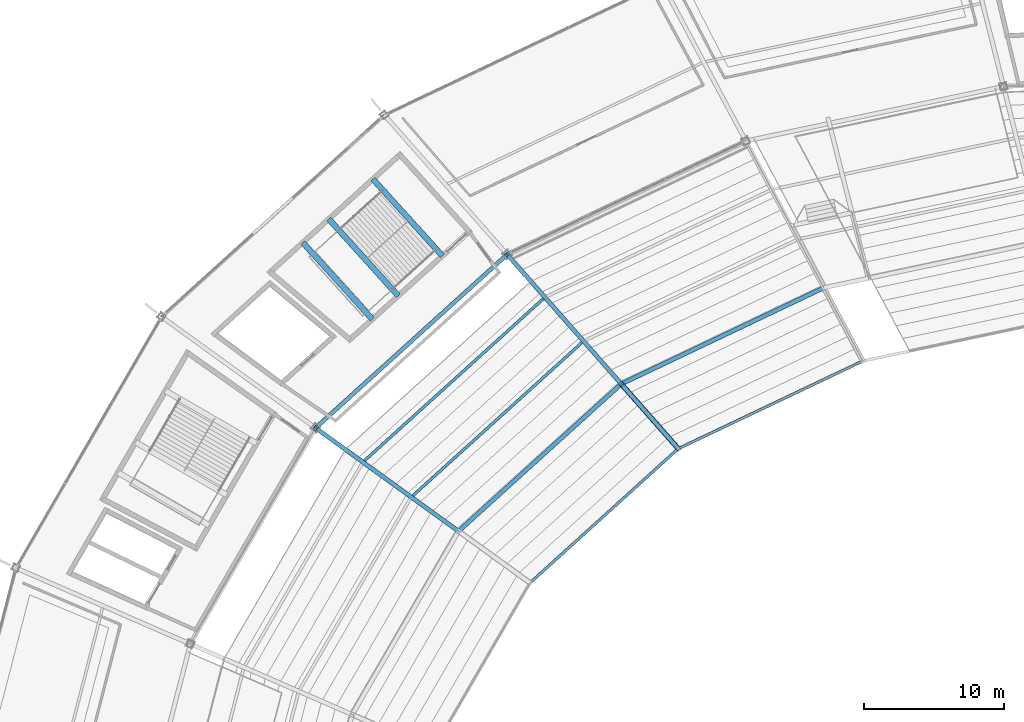
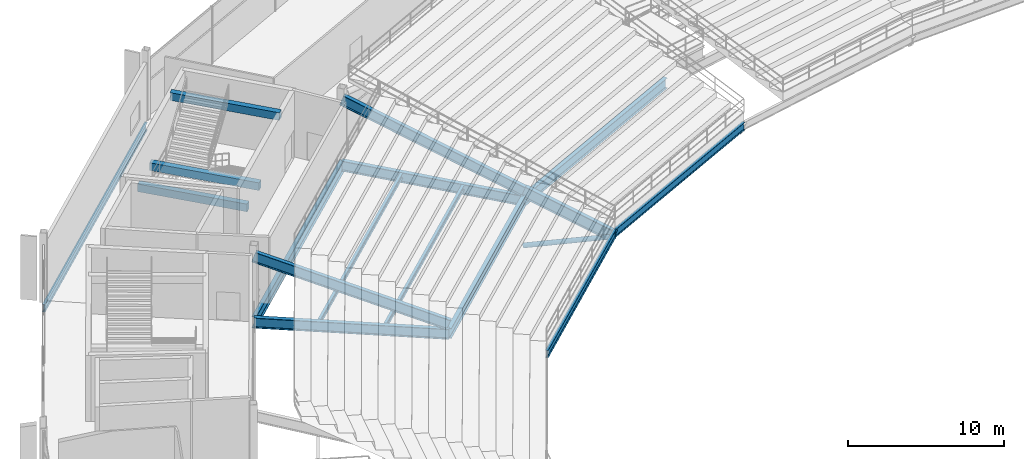
# One storey, part 86 of 186: 16 beams, 1 member.
"""IFC4 building model written with IfcOpenShell, lengths in metres."""

import ifcopenshell
import ifcopenshell.guid

model = None  # the IFC model being written
_history = None  # IfcOwnerHistory: only IFC2X3 demands one
_inside = {}  # id of a spatial element -> (the spatial element, [elements in it])
_under = {}  # id of a project, library or spatial element -> (it, [spatial elements below it])
_declared = {}  # id of a project -> (the project, [libraries it declares])
_typed = {}  # id of a type object -> (the type object, [elements of that type])
_made_of = {}  # id of a material, layer set ... -> (it, [elements and type objects made of it])


def new_model(schema):
    """Start an empty IFC model of exactly this schema.

    Asked for "IFC4X3", IfcOpenShell would pick the latest addendum, in which some entities
    have other attributes; the version numbers below select the first issue.
    IFC2X3 requires an IfcOwnerHistory on every rooted entity: one is made here for all.
    """
    global model, _history
    if schema == "IFC4X3":
        model = ifcopenshell.file(schema_version=(4, 3, 0, 0))
    else:
        model = ifcopenshell.file(schema=schema)
    _inside.clear()
    _under.clear()
    _declared.clear()
    _typed.clear()
    _made_of.clear()
    _history = None
    if model.schema == "IFC2X3":
        org = make("IfcOrganization", Name="unknown")
        user = make(
            "IfcPersonAndOrganization",
            ThePerson=make("IfcPerson", FamilyName="unknown"),
            TheOrganization=org,
        )
        app = make(
            "IfcApplication",
            ApplicationDeveloper=org,
            Version="unknown",
            ApplicationFullName="unknown",
            ApplicationIdentifier="unknown",
        )
        _history = make(
            "IfcOwnerHistory",
            OwningUser=user,
            OwningApplication=app,
            ChangeAction="ADDED",
            CreationDate=0,
        )
    return model


def make(cls, **values):
    """One entity of the class cls with the attributes given. An attribute that is None is left unset."""
    return model.create_entity(
        cls, **{name: value for name, value in values.items() if value is not None}
    )


def rooted(cls, **values):
    """An entity with a GlobalId (a new one), such as an element, a storey or a relation."""
    return make(cls, GlobalId=ifcopenshell.guid.new(), OwnerHistory=_history, **values)


def si_unit(unit_type, name, prefix=None):
    """IfcSIUnit, for example si_unit("LENGTHUNIT", "METRE", prefix="MILLI")."""
    return make("IfcSIUnit", UnitType=unit_type, Prefix=prefix, Name=name)


def assignment(units):
    """IfcUnitAssignment: the units of a project."""
    return None if units is None else make("IfcUnitAssignment", Units=units)


def point(xyz):
    """IfcCartesianPoint."""
    return None if xyz is None else make("IfcCartesianPoint", Coordinates=xyz)


def direction(xyz):
    """IfcDirection."""
    return None if xyz is None else make("IfcDirection", DirectionRatios=xyz)


def frame(location, z_axis=None, x_axis=None):
    """IfcAxis2Placement3D, a coordinate frame: its origin and axes. An axis left out is left unset."""
    return make(
        "IfcAxis2Placement3D",
        Location=point(location),
        Axis=direction(z_axis),
        RefDirection=direction(x_axis),
    )


def frame_2d(location, x_axis=None):
    """IfcAxis2Placement2D, a coordinate frame in the plane: its origin and x axis."""
    return make(
        "IfcAxis2Placement2D", Location=point(location), RefDirection=direction(x_axis)
    )


def origin():
    """The frame at (0, 0, 0) with its axes left unset."""
    return frame((0.0, 0.0, 0.0))


def origin_2d():
    """The frame at (0, 0) in the plane with its x axis left unset."""
    return frame_2d((0.0, 0.0))


def place(relative_to, where):
    """IfcLocalPlacement: puts the frame where relative to a parent placement (None: the world)."""
    return make(
        "IfcLocalPlacement", PlacementRelTo=relative_to, RelativePlacement=where
    )


def context(
    kind, dimensions, precision=None, world=None, true_north=None, identifier=None
):
    """IfcGeometricRepresentationContext, for example the 3D "Model" context."""
    return make(
        "IfcGeometricRepresentationContext",
        ContextIdentifier=identifier,
        ContextType=kind,
        CoordinateSpaceDimension=dimensions,
        Precision=precision,
        WorldCoordinateSystem=world,
        TrueNorth=true_north,
    )


def subcontext(parent, identifier, kind, view, scale=None):
    """IfcGeometricRepresentationSubContext, for example "Body" below "Model"."""
    return make(
        "IfcGeometricRepresentationSubContext",
        ContextIdentifier=identifier,
        ContextType=kind,
        ParentContext=parent,
        TargetScale=scale,
        TargetView=view,
    )


def project(units=None, contexts=None):
    """IfcProject with its units and contexts."""
    return rooted(
        "IfcProject",
        Name="project",
        RepresentationContexts=contexts,
        UnitsInContext=assignment(units),
    )


def spatial(cls, under=None, at=None, **own):
    """A site, building, storey or space (cls), placed at a placement, below another one or the project."""
    s = rooted(cls, ObjectPlacement=at, **own)
    if under is not None:
        _under.setdefault(under.id(), (under, []))[1].append(s)
    return s


def profile(cls, at=None, kind="AREA", **sizes):
    """A parametric profile (cls). Its sizes go by their IFC names, for example OverallWidth=200.0."""
    return make(cls, ProfileType=kind, Position=at, **sizes)


def rectangle(**sizes):
    """IfcRectangleProfileDef."""
    return profile("IfcRectangleProfileDef", **sizes)


def hollow_circle(**sizes):
    """IfcCircleHollowProfileDef."""
    return profile("IfcCircleHollowProfileDef", **sizes)


def i_section(**sizes):
    """IfcIShapeProfileDef."""
    return profile("IfcIShapeProfileDef", **sizes)


def extrude(swept, where, along, depth):
    """IfcExtrudedAreaSolid: the profile swept, set in the frame where, extruded along a direction by depth."""
    return make(
        "IfcExtrudedAreaSolid",
        SweptArea=swept,
        Position=where,
        ExtrudedDirection=direction(along),
        Depth=depth,
    )


def shape(context_of_items, identifier, shape_type, items):
    """IfcShapeRepresentation: the items that make up one representation, for example the "Body"."""
    return make(
        "IfcShapeRepresentation",
        ContextOfItems=context_of_items,
        RepresentationIdentifier=identifier,
        RepresentationType=shape_type,
        Items=items,
    )


def material(Name=None, Category=None):
    """IfcMaterial."""
    return make("IfcMaterial", Name=Name, Category=Category)


def material_profile(
    of_material, cross_section, Name=None, Category=None, Priority=None
):
    """IfcMaterialProfile: a cross section and its material."""
    return make(
        "IfcMaterialProfile",
        Name=Name,
        Material=of_material,
        Profile=cross_section,
        Priority=Priority,
        Category=Category,
    )


def profile_set(profiles, Name=None, composite=None):
    """IfcMaterialProfileSet."""
    return make(
        "IfcMaterialProfileSet",
        Name=Name,
        MaterialProfiles=profiles,
        CompositeProfile=composite,
    )


def made_of(thing, what):
    """Note that an element or type object is made of a material, layer set ...; save() writes the relation."""
    if what is not None:
        _made_of.setdefault(what.id(), (what, []))[1].append(thing)
    return thing


def type_object(cls, material=None, **own):
    """A type object (cls), such as IfcWallType, which elements share."""
    return made_of(rooted(cls, **own), material)


def element(
    cls,
    number,
    at=None,
    inside=None,
    cuts=None,
    type_object=None,
    material=None,
    context=None,
    identifier="Body",
    shape_type=None,
    held_by="IfcProductDefinitionShape",
    body=None,
    shapes=None,
    **own,
):
    """One element of the class cls, such as IfcWall. Its Tag is "e" and its number.

    at: its placement. inside: the storey or other place that contains it. cuts: it is an
    opening in that element (IfcRelVoidsElement). A single representation is given by context,
    identifier, shape_type and body (its items); several are given by shapes. held_by: the class
    of the entity that holds the representations. save() writes the other relations.
    """
    e = rooted(cls, Tag="e%d" % number, ObjectPlacement=at, **own)
    if body is not None:
        shapes = [shape(context, identifier, shape_type, body)]
    if shapes is not None:
        e.Representation = make(held_by, Representations=shapes)
    if inside is not None:
        _inside.setdefault(inside.id(), (inside, []))[1].append(e)
    if cuts is not None:
        rooted(
            "IfcRelVoidsElement", RelatingBuildingElement=cuts, RelatedOpeningElement=e
        )
    if type_object is not None:
        _typed.setdefault(type_object.id(), (type_object, []))[1].append(e)
    return made_of(e, material)


def aggregate(whole, parts):
    """IfcRelAggregates: a whole, such as a stair, and the parts it consists of."""
    return rooted("IfcRelAggregates", RelatingObject=whole, RelatedObjects=parts)


def save(model, path):
    """Write the relations noted so far, then the file.

    IfcRelAggregates (storeys below a building ...), IfcRelContainedInSpatialStructure (elements
    in a storey), IfcRelDefinesByType, IfcRelAssociatesMaterial and IfcRelDeclares: one each for
    every whole, place, type object, material and project.
    """
    for whole, parts in _under.values():
        aggregate(whole, parts)
    for where, things in _inside.values():
        rooted(
            "IfcRelContainedInSpatialStructure",
            RelatedElements=things,
            RelatingStructure=where,
        )
    for kind, things in _typed.values():
        rooted("IfcRelDefinesByType", RelatedObjects=things, RelatingType=kind)
    for what, things in _made_of.values():
        rooted("IfcRelAssociatesMaterial", RelatedObjects=things, RelatingMaterial=what)
    for by, libraries in _declared.values():
        rooted("IfcRelDeclares", RelatingContext=by, RelatedDefinitions=libraries)
    model.write(path)


model = new_model("IFC4")

# Units and contexts
model_context = context("Model", 3, precision=1e-05, world=origin(), true_north=direction((0.0, 1.0)))
body_context = subcontext(model_context, "Body", "Model", "MODEL_VIEW")
ifc_project = project(units=[si_unit("LENGTHUNIT", "METRE"), si_unit("AREAUNIT", "SQUARE_METRE"), si_unit("VOLUMEUNIT", "CUBIC_METRE"), si_unit("PLANEANGLEUNIT", "RADIAN"), si_unit("MASSUNIT", "GRAM", prefix="KILO")], contexts=[model_context])

# Site, building, storey
site_placement = place(None, origin())
site = spatial("IfcSite", under=ifc_project, at=site_placement, CompositionType="ELEMENT")
building_placement = place(site_placement, origin())
building = spatial("IfcBuilding", under=site, at=building_placement, Name="Kazemori Nagisa Stadium", CompositionType="ELEMENT")
storey_placement = place(building_placement, frame((0.0, 0.0, 20.39990234375)))
storey = spatial("IfcBuildingStorey", under=building, at=storey_placement, Name="L04", CompositionType="ELEMENT", Elevation=20.39990234375)

# Beams
ifc_material_1 = material(Name="Steel SN490B", Category="steel")
ifc_material_profile_1 = material_profile(ifc_material_1, i_section(OverallWidth=0.300048828125, OverallDepth=0.800048828125, WebThickness=0.013916015625, FlangeThickness=0.02587890625, FilletRadius=0.01806640625, at=origin_2d()), Name="H-800x300x14x26")
ifc_profile_set_1 = profile_set([ifc_material_profile_1], Name="Steel SN490B")
beam_type_1 = type_object("IfcBeamType", Name="Beam_BG-H800", PredefinedType="BEAM", material=ifc_profile_set_1)
beam_1_placement = place(storey_placement, frame((91.75244140625, 160.739013671875, -0.699951171875), z_axis=(-0.903211989129, -0.429194714196, 0.0), x_axis=(0.429194714196, -0.903211989129, 0.0)))
element("IfcBeam", 1, at=beam_1_placement, inside=storey, type_object=beam_type_1, Name="Ring girder BG-H800 L04 R1-10", PredefinedType="BEAM", context=body_context, shape_type="SweptSolid", body=[
    extrude(i_section(OverallWidth=0.300048828125, OverallDepth=0.800048828125, WebThickness=0.013916015625, FlangeThickness=0.02587890625, FilletRadius=0.01806640625, at=origin_2d()), origin(), (0.0, 0.0, 1.0), 15.997314453125),
])
beam_2_placement = place(storey_placement, frame((77.303466796875, 153.873046875, -0.699951171875), z_axis=(-0.741349160152, -0.6711195294, 0.0), x_axis=(0.6711195294, -0.741349160152, 0.0)))
element("IfcBeam", 2, at=beam_2_placement, inside=storey, type_object=beam_type_1, Name="Ring girder BG-H800 L04 R1-11", PredefinedType="BEAM", context=body_context, shape_type="SweptSolid", body=[
    extrude(i_section(OverallWidth=0.300048828125, OverallDepth=0.800048828125, WebThickness=0.013916015625, FlangeThickness=0.02587890625, FilletRadius=0.01806640625, at=origin_2d()), origin(), (0.0, 0.0, 1.0), 15.65380859375),
])
beam_3_placement = place(storey_placement, frame((77.303466796875, 153.873046875, -0.699951171875), z_axis=(-0.66101406015, 0.75037351518, 0.0), x_axis=(-0.75037351518, -0.66101406015, 0.0)))
element("IfcBeam", 3, at=beam_3_placement, inside=storey, type_object=beam_type_1, Name="Radial girder BG-H800 L04 R1-R2-11", PredefinedType="BEAM", context=body_context, shape_type="SweptSolid", body=[
    extrude(i_section(OverallWidth=0.300048828125, OverallDepth=0.800048828125, WebThickness=0.013916015625, FlangeThickness=0.02587890625, FilletRadius=0.01806640625, at=origin_2d()), origin(), (0.0, 0.0, 1.0), 12.31103515625),
])
beam_4_placement = place(storey_placement, frame((65.698486328125, 143.367431640625, -0.699951171875), z_axis=(-0.810802996314, 0.585319144714, 0.0), x_axis=(-0.585319144714, -0.810802996314, 0.0)))
element("IfcBeam", 4, at=beam_4_placement, inside=storey, type_object=beam_type_1, Name="Radial girder BG-H800 L04 R1-R2-12", PredefinedType="BEAM", context=body_context, shape_type="SweptSolid", body=[
    extrude(i_section(OverallWidth=0.300048828125, OverallDepth=0.800048828125, WebThickness=0.013916015625, FlangeThickness=0.02587890625, FilletRadius=0.01806640625, at=origin_2d()), origin(), (0.0, 0.0, 1.0), 12.585693359375),
])
ifc_material_profile_2 = material_profile(ifc_material_1, i_section(OverallWidth=0.300048828125, OverallDepth=0.89990234375, WebThickness=0.01611328125, FlangeThickness=0.028076171875, FilletRadius=0.01806640625, at=origin_2d()), Name="H-900x300x16x28")
ifc_profile_set_2 = profile_set([ifc_material_profile_2], Name="Steel SN490B")
beam_type_2 = type_object("IfcBeamType", Name="Beam_BG-H900", PredefinedType="BEAM", material=ifc_profile_set_2)
beam_5_placement = place(storey_placement, frame((69.165771484375, 163.11083984375, -0.75), z_axis=(-0.741349142139, -0.671119549298, 0.0), x_axis=(0.671119549298, -0.741349142139, 0.0)))
element("IfcBeam", 5, at=beam_5_placement, inside=storey, type_object=beam_type_2, Name="Ring girder BG-H900 L04 R2-11", PredefinedType="BEAM", context=body_context, shape_type="SweptSolid", body=[
    extrude(i_section(OverallWidth=0.300048828125, OverallDepth=0.89990234375, WebThickness=0.01611328125, FlangeThickness=0.028076171875, FilletRadius=0.01806640625, at=origin_2d()), origin(), (0.0, 0.0, 1.0), 18.44189453125),
])
ifc_material_2 = material(Name="Concrete C40/50 (Fc42)", Category="concrete")
ifc_material_profile_3 = material_profile(ifc_material_2, rectangle(XDim=0.39990234375, YDim=0.60009765625, at=origin_2d()), Name="RC-BM-400x600")
ifc_profile_set_3 = profile_set([ifc_material_profile_3], Name="Concrete C40/50 (Fc42)")
beam_type_3 = type_object("IfcBeamType", Name="Beam_BG-LND400X600", PredefinedType="BEAM", material=ifc_profile_set_3)
beam_6_placement = place(storey_placement, frame((61.39599609375, 160.164306640625, 2.22021484375), z_axis=(-0.671095068472, 0.741371303108, 0.0), x_axis=(-0.741371303108, -0.671095068472, 0.0)))
element("IfcBeam", 6, at=beam_6_placement, inside=storey, type_object=beam_type_3, Name="Core stair mid-landing girder ST02-L04-1", PredefinedType="BEAM", context=body_context, shape_type="SweptSolid", body=[
    extrude(rectangle(XDim=0.39990234375, YDim=0.60009765625, at=origin_2d()), origin(), (0.0, 0.0, 1.0), 7.3857421875),
])
for number, where, z_axis, x_axis, name in (
    (7, (59.542724609375, 158.486572265625, 2.22021484375), (-0.671113236271, 0.74135485707, 0.0), (-0.74135485707, -0.671113236271, 0.0), "Core stair mid-landing girder ST02-L04-2"),
    (8, (64.543212890625, 163.01318359375, 4.880126953125), (-0.671113236271, 0.74135485707, 0.0), (-0.74135485707, -0.671113236271, 0.0), "Core stair arrival header girder ST02-L04"),
):
    element("IfcBeam", number, at=place(storey_placement, frame(where, z_axis=z_axis, x_axis=x_axis)), inside=storey, type_object=beam_type_3, Name=name, PredefinedType="BEAM", context=body_context, shape_type="SweptSolid", body=[
        extrude(rectangle(XDim=0.39990234375, YDim=0.60009765625, at=origin_2d()), origin(), (0.0, 0.0, 1.0), 7.385986328125),
    ])
ifc_material_profile_4 = material_profile(ifc_material_1, i_section(OverallWidth=0.199951171875, OverallDepth=0.39990234375, WebThickness=0.008056640625, FlangeThickness=0.012939453125, FilletRadius=0.012939453125, at=origin_2d()), Name="H-400x200x8x13")
ifc_profile_set_4 = profile_set([ifc_material_profile_4], Name="Steel SN490B")
beam_type_4 = type_object("IfcBeamType", Name="Beam_BJ-H400", PredefinedType="JOIST", material=ifc_profile_set_4)
beam_7_placement = place(storey_placement, frame((74.504150390625, 156.831298828125, -0.5), z_axis=(-0.741343259913, -0.671126047015, 0.0), x_axis=(0.671126047015, -0.741343259913, 0.0)))
element("IfcBeam", 9, at=beam_7_placement, inside=storey, type_object=beam_type_4, Name="Concourse joist BJ-H400 L04 B11-1", PredefinedType="JOIST", context=body_context, shape_type="SweptSolid", body=[
    extrude(i_section(OverallWidth=0.199951171875, OverallDepth=0.39990234375, WebThickness=0.008056640625, FlangeThickness=0.012939453125, FilletRadius=0.012939453125, at=origin_2d()), origin(), (0.0, 0.0, 1.0), 16.285888671875),
])
beam_8_placement = place(storey_placement, frame((71.75, 159.957763671875, -0.5), z_axis=(-0.741354140692, -0.671114027628, 0.0), x_axis=(0.671114027628, -0.741354140692, 0.0)))
element("IfcBeam", 10, at=beam_8_placement, inside=storey, type_object=beam_type_4, Name="Concourse joist BJ-H400 L04 B11-2", PredefinedType="JOIST", context=body_context, shape_type="SweptSolid", body=[
    extrude(i_section(OverallWidth=0.199951171875, OverallDepth=0.39990234375, WebThickness=0.008056640625, FlangeThickness=0.012939453125, FilletRadius=0.012939453125, at=origin_2d()), origin(), (0.0, 0.0, 1.0), 17.2294921875),
])
ifc_material_profile_5 = material_profile(ifc_material_1, i_section(OverallWidth=0.199951171875, OverallDepth=0.60009765625, WebThickness=0.010986328125, FlangeThickness=0.01708984375, FilletRadius=0.012939453125, at=origin_2d()), Name="H-600x200x11x17")
ifc_profile_set_5 = profile_set([ifc_material_profile_5], Name="Steel SN490B")
beam_type_5 = type_object("IfcBeamType", Name="Beam_BS-H600", PredefinedType="SPANDREL", material=ifc_profile_set_5)
beam_9_placement = place(storey_placement, frame((60.402099609375, 173.05908203125, -0.599853515625), z_axis=(-0.741351531326, -0.671116910084, 0.0), x_axis=(0.671116910084, -0.741351531326, 0.0)))
element("IfcBeam", 11, at=beam_9_placement, inside=storey, type_object=beam_type_5, Name="Ring girder BS-H600 L04 R3-11", PredefinedType="SPANDREL", context=body_context, shape_type="SweptSolid", body=[
    extrude(i_section(OverallWidth=0.199951171875, OverallDepth=0.60009765625, WebThickness=0.010986328125, FlangeThickness=0.01708984375, FilletRadius=0.012939453125, at=origin_2d()), origin(), (0.0, 0.0, 1.0), 21.44384765625),
])
beam_10_placement = place(storey_placement, frame((94.534912109375, 155.5087890625, -1.885009765625), z_axis=(-0.903213541292, -0.429191447757, 0.0), x_axis=(0.429191447757, -0.903213541292, 0.0)))
element("IfcBeam", 12, at=beam_10_placement, inside=storey, type_object=beam_type_5, Name="Upper tier front ring beam 10", PredefinedType="SPANDREL", context=body_context, shape_type="SweptSolid", body=[
    extrude(i_section(OverallWidth=0.199951171875, OverallDepth=0.60009765625, WebThickness=0.010986328125, FlangeThickness=0.01708984375, FilletRadius=0.012939453125, at=origin_2d()), origin(), (0.0, 0.0, 1.0), 14.572998046875),
])
beam_11_placement = place(storey_placement, frame((81.372314453125, 149.254150390625, -1.885009765625), z_axis=(-0.7413568829, -0.671110998402, 0.0), x_axis=(0.671110998402, -0.7413568829, 0.0)))
element("IfcBeam", 13, at=beam_11_placement, inside=storey, type_object=beam_type_5, Name="Upper tier front ring beam 11", PredefinedType="SPANDREL", context=body_context, shape_type="SweptSolid", body=[
    extrude(i_section(OverallWidth=0.199951171875, OverallDepth=0.60009765625, WebThickness=0.010986328125, FlangeThickness=0.01708984375, FilletRadius=0.012939453125, at=origin_2d()), origin(), (0.0, 0.0, 1.0), 14.260009765625),
])
ifc_material_profile_6 = material_profile(ifc_material_1, i_section(OverallWidth=0.300048828125, OverallDepth=0.800048828125, WebThickness=0.013916015625, FlangeThickness=0.02587890625, FilletRadius=0.01806640625, at=origin_2d()), Name="H-800x300x14x26")
ifc_profile_set_6 = profile_set([ifc_material_profile_6], Name="Steel SN490B")
beam_type_6 = type_object("IfcBeamType", Name="Beam_RK-ST800", PredefinedType="USERDEFINED", material=ifc_profile_set_6)
beam_12_placement = place(storey_placement, frame((77.303466796875, 153.873046875, 0.02001953125), z_axis=(-0.621968103391, 0.706049114848, 0.338600540146), x_axis=(-0.75037351518, -0.66101406015, 0.0)))
element("IfcBeam", 14, at=beam_12_placement, inside=storey, type_object=beam_type_6, Name="Raker beam upper backspan RK3-11B", ObjectType="RAKER BEAM", PredefinedType="USERDEFINED", context=body_context, shape_type="SweptSolid", body=[
    extrude(i_section(OverallWidth=0.300048828125, OverallDepth=0.800048828125, WebThickness=0.013916015625, FlangeThickness=0.02587890625, FilletRadius=0.01806640625, at=origin_2d()), origin(), (0.0, 0.0, 1.0), 13.083740234375),
])
beam_13_placement = place(storey_placement, frame((65.698486328125, 143.367431640625, 0.02001953125), z_axis=(-0.76480540319, 0.552113456047, 0.332029256096), x_axis=(-0.585319144714, -0.810802996314, 0.0)))
element("IfcBeam", 15, at=beam_13_placement, inside=storey, type_object=beam_type_6, Name="Raker beam upper backspan RK3-12B", ObjectType="RAKER BEAM", PredefinedType="USERDEFINED", context=body_context, shape_type="SweptSolid", body=[
    extrude(i_section(OverallWidth=0.300048828125, OverallDepth=0.800048828125, WebThickness=0.013916015625, FlangeThickness=0.02587890625, FilletRadius=0.01806640625, at=origin_2d()), origin(), (0.0, 0.0, 1.0), 13.3427734375),
])
ifc_material_profile_7 = material_profile(ifc_material_1, i_section(OverallWidth=0.300048828125, OverallDepth=0.89990234375, WebThickness=0.01611328125, FlangeThickness=0.028076171875, FilletRadius=0.01806640625, at=origin_2d()), Name="H-900x300x16x28")
ifc_profile_set_7 = profile_set([ifc_material_profile_7], Name="Steel SN490B")
beam_type_7 = type_object("IfcBeamType", Name="Beam_RK-ST900", PredefinedType="USERDEFINED", material=ifc_profile_set_7)
beam_14_placement = place(storey_placement, frame((81.372314453125, 149.254150390625, -2.14990234375), z_axis=(-0.623412293651, 0.707688538557, 0.332466606623), x_axis=(-0.75037351518, -0.66101406015, 0.0)))
element("IfcBeam", 16, at=beam_14_placement, inside=storey, type_object=beam_type_7, Name="Raker beam upper cantilever RK3-11A", ObjectType="RAKER BEAM", PredefinedType="USERDEFINED", context=body_context, shape_type="SweptSolid", body=[
    extrude(i_section(OverallWidth=0.300048828125, OverallDepth=0.89990234375, WebThickness=0.01611328125, FlangeThickness=0.028076171875, FilletRadius=0.01806640625, at=origin_2d()), origin(), (0.0, 0.0, 1.0), 6.52685546875),
])

# Member
ifc_material_3 = material(Name="Steel STK490", Category="steel")
ifc_material_profile_8 = material_profile(ifc_material_3, hollow_circle(Radius=0.177734375, WallThickness=0.0126953125, at=origin_2d()), Name="CHS-355.6x12.7")
ifc_profile_set_8 = profile_set([ifc_material_profile_8], Name="Steel STK490")
member_type = type_object("IfcMemberType", Name="Member_TB-CHS355", PredefinedType="BRACE", material=ifc_profile_set_8)
member_placement = place(storey_placement, frame((77.303466796875, 153.873046875, -4.25), z_axis=(0.625605483799, -0.710178216008, 0.322900418315), x_axis=(0.75037351518, 0.66101406015, 0.0)))
element("IfcMember", 17, at=member_placement, inside=storey, type_object=member_type, Name="Upper tier cantilever truss strut UT-11", PredefinedType="BRACE", context=body_context, shape_type="SweptSolid", body=[
    extrude(hollow_circle(Radius=0.177734375, WallThickness=0.0126953125, at=origin_2d()), origin(), (0.0, 0.0, 1.0), 6.50390625),
])

save(model, "model.ifc")
